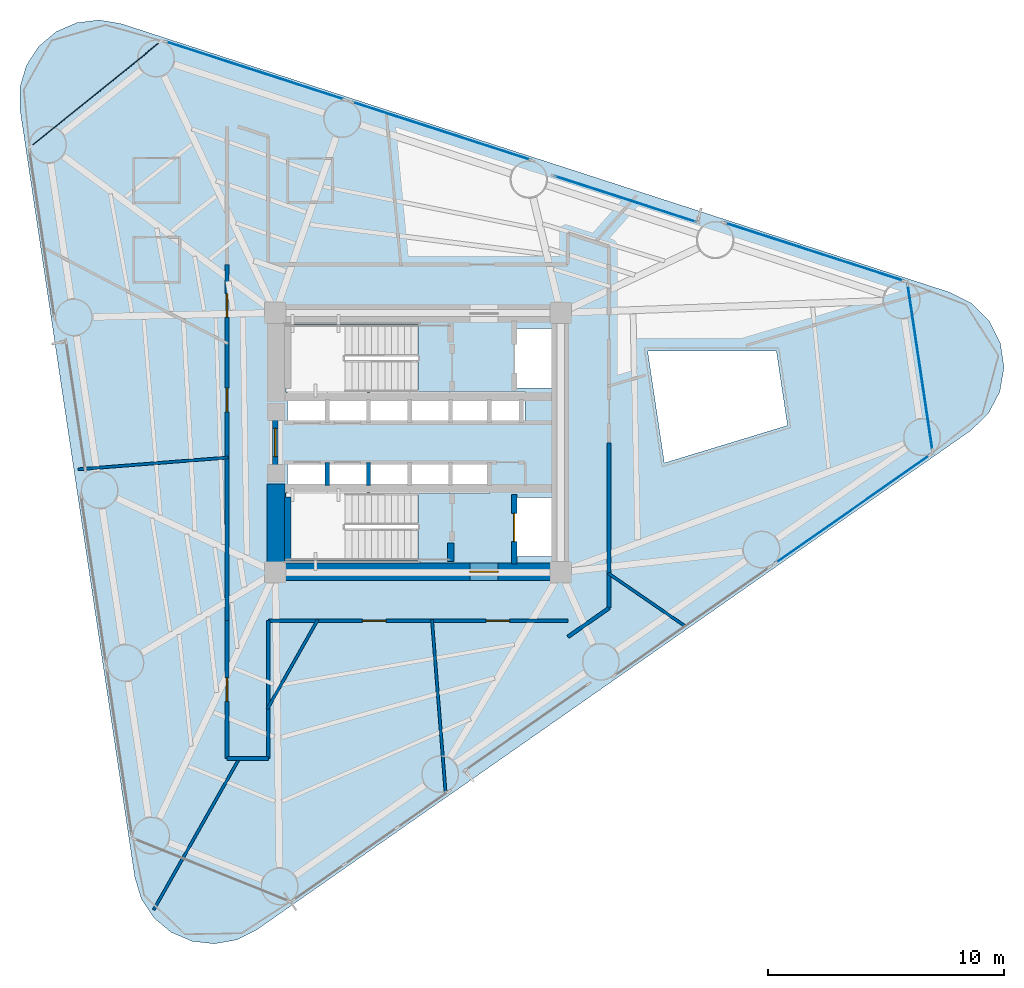
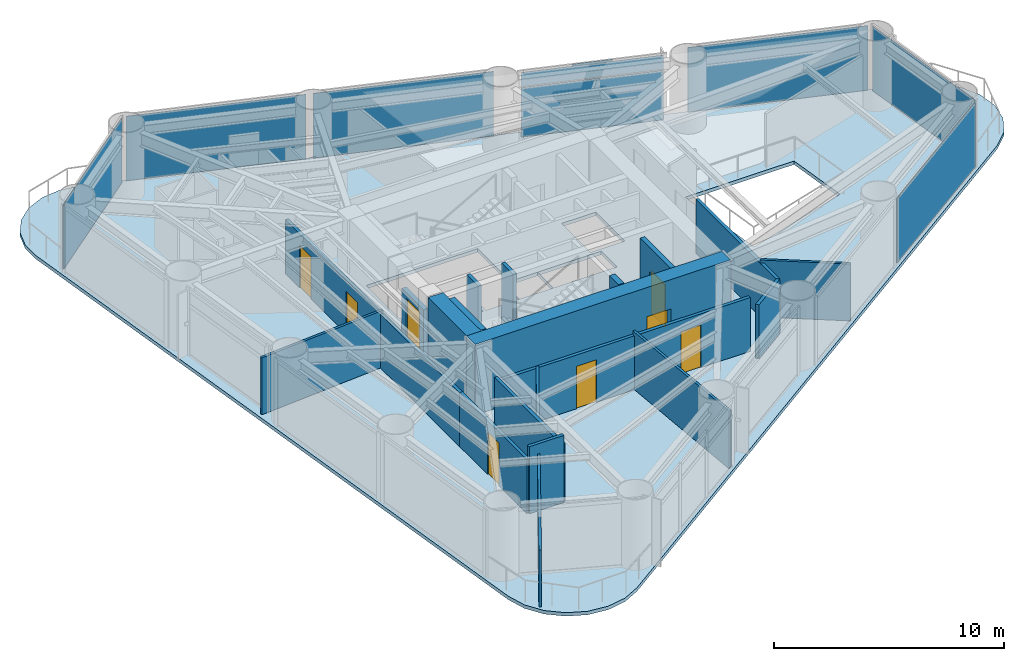
# One storey, part 5 of 9: 20 walls, 9 plates, 8 doors, 1 slab, 8 openings, 7 elements without a shape of their own.
"""IFC4 building model written with IfcOpenShell, lengths in metres."""

from ifc_helpers import new_model, si_unit, direction, frame, frame_2d, origin, origin_2d, place, context, subcontext, project, spatial, polyline, rectangle, outline, extrude, source, transform, mapped, material, layer, layer_set, type_object, element, fill, aggregate, save


model = new_model("IFC4")

# Units and contexts
model_context = context("Model", 3, precision=1e-05, world=origin(), true_north=direction((0.0, 1.0)))
body_context = subcontext(model_context, "Body", "Model", "MODEL_VIEW")
ifc_project = project(units=[si_unit("LENGTHUNIT", "METRE"), si_unit("AREAUNIT", "SQUARE_METRE"), si_unit("VOLUMEUNIT", "CUBIC_METRE"), si_unit("PLANEANGLEUNIT", "RADIAN"), si_unit("MASSUNIT", "GRAM", prefix="KILO")], contexts=[model_context])

# Site, building, storey
site_placement = place(None, origin())
site = spatial("IfcSite", under=ifc_project, at=site_placement, CompositionType="ELEMENT")
building_placement = place(site_placement, origin())
building = spatial("IfcBuilding", under=site, at=building_placement, Name="Yunling Apex Tower", CompositionType="ELEMENT")
storey_placement = place(building_placement, frame((0.0, 0.0, 66.050048828125)))
storey = spatial("IfcBuildingStorey", under=building, at=storey_placement, Name="L17", CompositionType="ELEMENT", Elevation=66.050048828125)

# Slab
ifc_material_1 = material(Name="Concrete C40", Category="concrete")
ifc_layer_1 = layer(ifc_material_1, 0.179931640625)
ifc_layer_set_1 = layer_set([ifc_layer_1], Name="Concrete C40")
slab_type = type_object("IfcSlabType", Name="SL-FLR-1", PredefinedType="FLOOR", material=ifc_layer_set_1)
slab_placement = place(storey_placement, frame((0.0, 0.0, -0.18505859375)))
element("IfcSlab", 1, at=slab_placement, inside=storey, type_object=slab_type, Name="L17 Composite Tower Floor Slab", PredefinedType="FLOOR", context=body_context, shape_type="SweptSolid", body=[
    extrude(outline(polyline([(-12.00732421875, -18.4326171875), (-11.730224609375, -19.349365234375), (-11.202392578125, -20.1484375), (-10.467529296875, -20.7626953125), (-9.587646484375, -21.14111328125), (-8.636474609375, -21.251708984375), (-7.693115234375, -21.08544921875), (-6.837158203125, -20.656005859375), (23.428955078125, 0.50537109375), (24.1796875, 1.231201171875), (24.6669921875, 2.155029296875), (24.842041015625, 3.184814453125), (24.687744140625, 4.217529296875), (24.21923828125, 5.15087890625), (23.483154296875, 5.89208984375), (22.552978515625, 6.36669921875), (-12.57763671875, 17.75439453125), (-13.521728515625, 17.914794921875), (-14.472412109375, 17.798095703125), (-15.349853515625, 17.414306640625), (-16.080810546875, 16.795166015625), (-16.603515625, 15.992919921875), (-16.875, 15.07421875), (-16.871826171875, 14.116455078125), (-12.00732421875, -18.4326171875)]), holes=[polyline([(15.192138671875, 3.88818359375), (15.6650390625, 0.723388671875), (10.442626953125, -0.865966796875), (9.733154296875, 3.88134765625), (15.192138671875, 3.88818359375)]), polyline([(5.81005859375, -2.320068359375), (5.81005859375, -4.840087890625), (4.090087890625, -4.840087890625), (4.090087890625, -2.320068359375), (5.81005859375, -2.320068359375)]), polyline([(5.81005859375, 4.840087890625), (5.81005859375, 2.320068359375), (4.090087890625, 2.320068359375), (4.090087890625, 4.840087890625), (5.81005859375, 4.840087890625)]), polyline([(4.534912109375, 0.794921875), (1.364990234375, 0.794921875), (1.364990234375, 2.1650390625), (4.534912109375, 2.1650390625), (4.534912109375, 0.794921875)]), polyline([(3.034912109375, -0.794921875), (3.034912109375, -2.1650390625), (1.364990234375, -2.1650390625), (1.364990234375, -0.794921875), (3.034912109375, -0.794921875)]), polyline([(-3.864990234375, -0.794921875), (-3.864990234375, -2.139892578125), (-3.8349609375, -2.139892578125), (-3.8349609375, -0.794921875), (-2.1650390625, -0.794921875), (-2.1650390625, -2.139892578125), (-2.034912109375, -2.139892578125), (-2.034912109375, -0.794921875), (-0.364990234375, -0.794921875), (-0.364990234375, -2.139892578125), (-0.3349609375, -2.139892578125), (-0.3349609375, -0.794921875), (1.3349609375, -0.794921875), (1.3349609375, -2.1650390625), (-0.010009765625, -2.1650390625), (-0.010009765625, -5.010009765625), (-5.60009765625, -5.010009765625), (-5.60009765625, -2.139892578125), (-5.534912109375, -2.139892578125), (-5.534912109375, -0.794921875), (-3.864990234375, -0.794921875)]), polyline([(-5.60009765625, 2.139892578125), (-5.60009765625, 5.010009765625), (-0.010009765625, 5.010009765625), (-0.010009765625, 2.1650390625), (1.3349609375, 2.1650390625), (1.3349609375, 0.794921875), (-0.3349609375, 0.794921875), (-0.3349609375, 2.139892578125), (-0.364990234375, 2.139892578125), (-0.364990234375, 0.794921875), (-2.034912109375, 0.794921875), (-2.034912109375, 2.139892578125), (-2.1650390625, 2.139892578125), (-2.1650390625, 0.794921875), (-3.8349609375, 0.794921875), (-3.8349609375, 2.139892578125), (-3.864990234375, 2.139892578125), (-3.864990234375, 0.794921875), (-5.534912109375, 0.794921875), (-5.534912109375, 2.139892578125), (-5.60009765625, 2.139892578125)])]), origin(), (0.0, 0.0, 1.0), 0.18505859375),
])

# Plate
ifc_material_2 = material(Name="Bronze anodised aluminium", Category="aluminium")
ifc_layer_2 = layer(ifc_material_2, 0.011962890625)
ifc_layer_set_2 = layer_set([ifc_layer_2], Name="Bronze anodised aluminium")
plate_type_1 = type_object("IfcPlateType", Name="SP-SHT-1", PredefinedType="SHEET", material=ifc_layer_set_2)
shared_shape_1 = source(origin(), body_context, "Body", "SweptSolid", [
    extrude(rectangle(XDim=1.800048828125, YDim=0.02392578125, at=origin_2d()), origin(), (0.0, 0.0, 1.0), 0.43994140625),
])
plate_1_placement = place(storey_placement, frame((8.7919921875, 10.32275390625, 3.1650390625), z_axis=(0.0, 0.0, 1.0), x_axis=(-0.951272019071, 0.30835295642, 0.0)))
element("IfcPlate", 2, at=plate_1_placement, inside=storey, type_object=plate_type_1, Name="SP-GRV-L17-F2", PredefinedType="SHEET", context=body_context, shape_type="MappedRepresentation", body=[
    mapped(shared_shape_1, transform((0.0, 0.0, 0.0), scale=1.0)),
])

# Curtain wall, plates
ifc_layer_3 = layer(ifc_material_2, 0.260009765625)
ifc_layer_set_3 = layer_set([ifc_layer_3], Name="Bronze anodised aluminium")
curtain_wall_type = type_object("IfcCurtainWallType", Name="CW-SYS-2", PredefinedType="NOTDEFINED", material=ifc_layer_set_3)
curtain_wall_1_placement = place(storey_placement, origin())
curtain_wall_1 = element("IfcCurtainWall", 3, at=curtain_wall_1_placement, inside=storey, type_object=curtain_wall_type, Name="CW-L17-F2-B2", PredefinedType="NOTDEFINED")
ifc_material_3 = material(Name="Bronze tinted low-E glass", Category="glass")
ifc_layer_4 = layer(ifc_material_3, 0.033935546875)
ifc_layer_set_4 = layer_set([ifc_layer_4], Name="Bronze tinted low-E glass")
plate_type_2 = type_object("IfcPlateType", Name="CW-PNL-2", PredefinedType="CURTAIN_PANEL", material=ifc_layer_set_4)
shared_shape_2 = source(origin(), body_context, "Body", "SweptSolid", [
    extrude(rectangle(XDim=6.315673828125, YDim=0.033935546875, at=origin_2d()), origin(), (0.0, 0.0, 1.0), 2.60400390625),
])
plate_2_placement = place(storey_placement, frame((8.7919921875, 10.32275390625, 0.07666015625), z_axis=(0.0, 0.0, 1.0), x_axis=(-0.951272336999, 0.308351975608, 0.0)))
plate_2 = element("IfcPlate", 4, at=plate_2_placement, type_object=plate_type_2, Name="CW-SYS-2 panel 1.1", PredefinedType="CURTAIN_PANEL", context=body_context, shape_type="MappedRepresentation", body=[
    mapped(shared_shape_2, transform((0.0, 0.0, 0.0), scale=1.0)),
])
shared_shape_3 = source(origin(), body_context, "Body", "SweptSolid", [
    extrude(rectangle(XDim=6.315673828125, YDim=0.033935546875, at=origin_2d()), origin(), (0.0, 0.0, 1.0), 0.739013671875),
])
plate_3_placement = place(storey_placement, frame((8.7919921875, 10.32275390625, 2.7490234375), z_axis=(0.0, 0.0, 1.0), x_axis=(-0.951272336999, 0.308351975608, 0.0)))
plate_3 = element("IfcPlate", 5, at=plate_3_placement, type_object=plate_type_2, Name="CW-SYS-2 panel 1.2", PredefinedType="CURTAIN_PANEL", context=body_context, shape_type="MappedRepresentation", body=[
    mapped(shared_shape_3, transform((0.0, 0.0, 0.0), scale=1.0)),
])
aggregate(curtain_wall_1, [plate_2, plate_3])

# Curtain wall, plate
curtain_wall_2_placement = place(storey_placement, origin())
curtain_wall_2 = element("IfcCurtainWall", 6, at=curtain_wall_2_placement, inside=storey, type_object=curtain_wall_type, Name="CW-L17-F1-B4", PredefinedType="NOTDEFINED")
shared_shape_4 = source(origin(), body_context, "Body", "SweptSolid", [
    extrude(rectangle(XDim=7.995849609375, YDim=0.033935546875, at=origin_2d()), origin(), (0.0, 0.0, 1.0), 3.41162109375),
])
plate_4_placement = place(storey_placement, frame((18.430419921875, -2.818603515625, 0.07666015625), z_axis=(0.0, 0.0, 1.0), x_axis=(0.819552319691, 0.573004358875, 0.0)))
plate_4 = element("IfcPlate", 7, at=plate_4_placement, type_object=plate_type_2, Name="CW-SYS-2 panel 1.1", PredefinedType="CURTAIN_PANEL", context=body_context, shape_type="MappedRepresentation", body=[
    mapped(shared_shape_4, transform((0.0, 0.0, 0.0), scale=1.0)),
])
aggregate(curtain_wall_2, [plate_4])

curtain_wall_3_placement = place(storey_placement, origin())
curtain_wall_3 = element("IfcCurtainWall", 8, at=curtain_wall_3_placement, inside=storey, type_object=curtain_wall_type, Name="CW-L17-F2-B1", PredefinedType="NOTDEFINED")
plate_5_placement = place(storey_placement, frame((16.801025390625, 8.083984375, 0.07666015625), z_axis=(0.0, 0.0, 1.0), x_axis=(-0.951270593784, 0.30835735341, 0.0)))
plate_5 = element("IfcPlate", 9, at=plate_5_placement, type_object=plate_type_2, Name="CW-SYS-2 panel 1.1", PredefinedType="CURTAIN_PANEL", context=body_context, shape_type="MappedRepresentation", body=[
    mapped(shared_shape_4, transform((0.0, 0.0, 0.0), scale=1.0)),
])
aggregate(curtain_wall_3, [plate_5])

curtain_wall_4_placement = place(storey_placement, origin())
curtain_wall_4 = element("IfcCurtainWall", 10, at=curtain_wall_4_placement, inside=storey, type_object=curtain_wall_type, Name="CW-L17-F2-B3", PredefinedType="NOTDEFINED")
plate_6_placement = place(storey_placement, frame((0.9921875, 13.20849609375, 0.07666015625), z_axis=(0.0, 0.0, 1.0), x_axis=(-0.951266994272, 0.308368457544, 0.0)))
plate_6 = element("IfcPlate", 11, at=plate_6_placement, type_object=plate_type_2, Name="CW-SYS-2 panel 1.1", PredefinedType="CURTAIN_PANEL", context=body_context, shape_type="MappedRepresentation", body=[
    mapped(shared_shape_4, transform((0.0, 0.0, 0.0), scale=1.0)),
])
aggregate(curtain_wall_4, [plate_6])

curtain_wall_5_placement = place(storey_placement, origin())
curtain_wall_5 = element("IfcCurtainWall", 12, at=curtain_wall_5_placement, inside=storey, type_object=curtain_wall_type, Name="CW-L17-F2-B4", PredefinedType="NOTDEFINED")
plate_7_placement = place(storey_placement, frame((-6.912109375, 15.770751953125, 0.07666015625), z_axis=(0.0, 0.0, 1.0), x_axis=(-0.951270593784, 0.30835735341, 0.0)))
plate_7 = element("IfcPlate", 13, at=plate_7_placement, type_object=plate_type_2, Name="CW-SYS-2 panel 1.1", PredefinedType="CURTAIN_PANEL", context=body_context, shape_type="MappedRepresentation", body=[
    mapped(shared_shape_4, transform((0.0, 0.0, 0.0), scale=1.0)),
])
aggregate(curtain_wall_5, [plate_7])

curtain_wall_6_placement = place(storey_placement, origin())
curtain_wall_6 = element("IfcCurtainWall", 14, at=curtain_wall_6_placement, inside=storey, type_object=curtain_wall_type, Name="CW-L17-CRN1", PredefinedType="NOTDEFINED")
shared_shape_5 = source(origin(), body_context, "Body", "SweptSolid", [
    extrude(rectangle(XDim=7.132080078125, YDim=0.033935546875, at=origin_2d()), origin(), (0.0, 0.0, 1.0), 3.41162109375),
])
plate_8_placement = place(storey_placement, frame((21.28564453125, 3.18115234375, 0.07666015625), z_axis=(0.0, 0.0, 1.0), x_axis=(-0.147798115278, 0.989017551472, 0.0)))
plate_8 = element("IfcPlate", 15, at=plate_8_placement, type_object=plate_type_2, Name="CW-SYS-2 panel 1.1", PredefinedType="CURTAIN_PANEL", context=body_context, shape_type="MappedRepresentation", body=[
    mapped(shared_shape_5, transform((0.0, 0.0, 0.0), scale=1.0)),
])
aggregate(curtain_wall_6, [plate_8])

curtain_wall_7_placement = place(storey_placement, origin())
curtain_wall_7 = element("IfcCurtainWall", 16, at=curtain_wall_7_placement, inside=storey, type_object=curtain_wall_type, Name="CW-L17-CRN2", PredefinedType="NOTDEFINED")
shared_shape_6 = source(origin(), body_context, "Body", "SweptSolid", [
    extrude(rectangle(XDim=7.043212890625, YDim=0.033935546875, at=origin_2d()), origin(), (0.0, 0.0, 1.0), 3.41162109375),
])
plate_9_placement = place(storey_placement, frame((-13.67041015625, 14.772705078125, 0.07666015625), z_axis=(0.0, 0.0, 1.0), x_axis=(-0.778148820322, -0.628079941911, 0.0)))
plate_9 = element("IfcPlate", 17, at=plate_9_placement, type_object=plate_type_2, Name="CW-SYS-2 panel 1.1", PredefinedType="CURTAIN_PANEL", context=body_context, shape_type="MappedRepresentation", body=[
    mapped(shared_shape_6, transform((0.0, 0.0, 0.0), scale=1.0)),
])
aggregate(curtain_wall_7, [plate_9])

# Wall, opening, door
ifc_material_4 = material(Name="Concrete C60", Category="concrete")
ifc_layer_5 = layer(ifc_material_4, 0.75)
ifc_layer_set_5 = layer_set([ifc_layer_5], Name="Concrete C60")
wall_type_1 = type_object("IfcWallType", Name="WL-COR-1", PredefinedType="SHEAR", material=ifc_layer_set_5)
wall_1_placement = place(storey_placement, frame((-6.39990234375, -5.47509765625, 0.0), z_axis=(0.0, 0.0, 1.0), x_axis=(1.0, 0.0, 0.0)))
wall_1 = element("IfcWall", 18, at=wall_1_placement, inside=storey, type_object=wall_type_1, Name="L17 South Core Shear Wall", PredefinedType="SHEAR", context=body_context, shape_type="SweptSolid", body=[
    extrude(rectangle(XDim=12.7998046875, YDim=0.75, at=frame_2d((6.39990234375, 0.0))), origin(), (0.0, 0.0, 1.0), 3.75),
])
opening_1_placement = place(wall_1_placement, frame((8.60009765625, 0.0, 0.0)))
opening_1 = element("IfcOpeningElement", 19, at=opening_1_placement, cuts=wall_1, Name="Opening DR-FFL-1", PredefinedType="OPENING", context=body_context, shape_type="SweptSolid", body=[
    extrude(rectangle(XDim=1.199951171875, YDim=2.199951171875, at=frame_2d((0.60009765625, 1.10009765625))), frame((0.0, 0.385009765625, 0.0), z_axis=(0.0, -1.0, 0.0), x_axis=(1.0, 0.0, 0.0)), (0.0, 0.0, 1.0), 0.77001953125),
])
ifc_material_5 = material(Name="Steel Q355B", Category="steel")
door_type_1 = type_object("IfcDoorType", Name="DR-FFL-1", OperationType="NOTDEFINED", PredefinedType="DOOR", material=ifc_material_5)
door_1_placement = place(opening_1_placement, origin())
door_1 = element("IfcDoor", 20, at=door_1_placement, inside=storey, type_object=door_type_1, Name="L17 South Firefighting Lobby Door", OperationType="SINGLE_SWING_RIGHT", OverallHeight=2.199951171875, OverallWidth=1.199951171875, PredefinedType="DOOR", context=body_context, shape_type="SweptSolid", body=[
    extrude(rectangle(XDim=1.199951171875, YDim=2.199951171875, at=frame_2d((0.60009765625, 1.10009765625))), frame((0.0, 0.02490234375, 0.0), z_axis=(0.0, -1.0, 0.0), x_axis=(1.0, 0.0, 0.0)), (0.0, 0.0, 1.0), 0.050048828125),
])
fill(opening_1, door_1)

# Walls
wall_2_placement = place(storey_placement, frame((-6.02490234375, -5.10009765625, 0.0), z_axis=(0.0, 0.0, 1.0), x_axis=(0.0, 1.0, 0.0)))
element("IfcWall", 21, at=wall_2_placement, inside=storey, type_object=wall_type_1, Name="L17 West-South Core Shear Wall", PredefinedType="SHEAR", context=body_context, shape_type="SweptSolid", body=[
    extrude(rectangle(XDim=3.35009765625, YDim=0.75, at=frame_2d((1.675048828125, 0.0))), origin(), (0.0, 0.0, 1.0), 3.75),
])
ifc_layer_6 = layer(ifc_material_1, 0.280029296875)
ifc_layer_set_6 = layer_set([ifc_layer_6], Name="Concrete C40")
wall_type_2 = type_object("IfcWallType", Name="WL-COR-8", PredefinedType="SHEAR", material=ifc_layer_set_6)
wall_3_placement = place(storey_placement, frame((-5.52001953125, -5.050048828125, 0.0), z_axis=(0.0, 0.0, 1.0), x_axis=(0.0, 1.0, 0.0)))
element("IfcWall", 22, at=wall_3_placement, inside=storey, type_object=wall_type_2, Name="L17 ST-2 West Landing Bearing Wall", PredefinedType="SHEAR", context=body_context, shape_type="SweptSolid", body=[
    extrude(rectangle(XDim=2.75, YDim=0.280029296875, at=frame_2d((1.375, 0.0))), origin(), (0.0, 0.0, 1.0), 3.75),
])
wall_4_placement = place(storey_placement, frame((1.3798828125, -5.050048828125, 0.0), z_axis=(0.0, 0.0, 1.0), x_axis=(0.0, 1.0, 0.0)))
element("IfcWall", 23, at=wall_4_placement, inside=storey, type_object=wall_type_2, Name="L17 ST-2 East Landing Bearing Pier", PredefinedType="SHEAR", context=body_context, shape_type="SweptSolid", body=[
    extrude(rectangle(XDim=0.800048828125, YDim=0.280029296875, at=frame_2d((0.39990234375, 0.0))), origin(), (0.0, 0.0, 1.0), 3.75),
])

# Wall, opening, door
ifc_material_6 = material(Name="Gypsum board acoustic partition")
ifc_layer_7 = layer(ifc_material_6, 0.159912109375)
ifc_layer_set_7 = layer_set([ifc_layer_7], Name="Gypsum board acoustic partition")
wall_type_3 = type_object("IfcWallType", Name="WL-PRT-1", PredefinedType="PARTITIONING", material=ifc_layer_set_7)
wall_5_placement = place(storey_placement, frame((-8.10009765625, -13.39990234375, 0.0), z_axis=(0.0, 0.0, 1.0), x_axis=(0.0, 1.0, 0.0)))
wall_5 = element("IfcWall", 24, at=wall_5_placement, inside=storey, type_object=wall_type_3, Name="WL-CORR-L17-01", PredefinedType="PARTITIONING", context=body_context, shape_type="SweptSolid", body=[
    extrude(rectangle(XDim=5.849853515625, YDim=0.159912109375, at=frame_2d((2.9248046875, 0.0))), origin(), (0.0, 0.0, 1.0), 2.849853515625),
])
opening_2_placement = place(wall_5_placement, frame((2.425048828125, 0.0, 0.0)))
opening_2 = element("IfcOpeningElement", 25, at=opening_2_placement, cuts=wall_5, Name="Opening DR-OFF-1", PredefinedType="OPENING", context=body_context, shape_type="SweptSolid", body=[
    extrude(rectangle(XDim=1.0, YDim=2.25, at=frame_2d((0.5, 1.125))), frame((0.0, 0.08984375, 0.0), z_axis=(0.0, -1.0, 0.0), x_axis=(1.0, 0.0, 0.0)), (0.0, 0.0, 1.0), 0.179931640625),
])
door_type_2 = type_object("IfcDoorType", Name="DR-OFF-1", OperationType="NOTDEFINED", PredefinedType="DOOR", material=ifc_material_2)
door_2_placement = place(opening_2_placement, origin())
door_2 = element("IfcDoor", 26, at=door_2_placement, inside=storey, type_object=door_type_2, Name="L17 Client Reception Foyer Door", OperationType="SINGLE_SWING_RIGHT", OverallHeight=2.25, OverallWidth=1.0, PredefinedType="DOOR", context=body_context, shape_type="SweptSolid", body=[
    extrude(rectangle(XDim=1.0, YDim=2.25, at=frame_2d((0.5, 1.125))), frame((0.0, 0.02490234375, 0.0), z_axis=(0.0, -1.0, 0.0), x_axis=(1.0, 0.0, 0.0)), (0.0, 0.0, 1.0), 0.050048828125),
])
fill(opening_2, door_2)

# Wall, openings, doors
wall_6_placement = place(storey_placement, frame((-8.10009765625, -7.550048828125, 0.0), z_axis=(0.0, 0.0, 1.0), x_axis=(0.0, 1.0, 0.0)))
wall_6 = element("IfcWall", 27, at=wall_6_placement, inside=storey, type_object=wall_type_3, Name="WL-CORR-L17-02", PredefinedType="PARTITIONING", context=body_context, shape_type="SweptSolid", body=[
    extrude(rectangle(XDim=15.10009765625, YDim=0.159912109375, at=frame_2d((7.550048828125, 0.0))), origin(), (0.0, 0.0, 1.0), 2.849853515625),
])
opening_3_placement = place(wall_6_placement, frame((8.855224609375, 0.0, 0.0)))
opening_3 = element("IfcOpeningElement", 28, at=opening_3_placement, cuts=wall_6, Name="Opening DR-OFF-1", PredefinedType="OPENING", context=body_context, shape_type="SweptSolid", body=[
    extrude(rectangle(XDim=1.0, YDim=2.25, at=frame_2d((0.5, 1.125))), frame((0.0, 0.08984375, 0.0), z_axis=(0.0, -1.0, 0.0), x_axis=(1.0, 0.0, 0.0)), (0.0, 0.0, 1.0), 0.179931640625),
])
opening_4_placement = place(wall_6_placement, frame((12.864990234375, 0.0, 0.0)))
opening_4 = element("IfcOpeningElement", 29, at=opening_4_placement, cuts=wall_6, Name="Opening DR-OFF-1", PredefinedType="OPENING", context=body_context, shape_type="SweptSolid", body=[
    extrude(rectangle(XDim=1.0, YDim=2.25, at=frame_2d((0.5, 1.125))), frame((0.0, 0.08984375, 0.0), z_axis=(0.0, -1.0, 0.0), x_axis=(1.0, 0.0, 0.0)), (0.0, 0.0, 1.0), 0.179931640625),
])
door_3_placement = place(opening_3_placement, origin())
door_3 = element("IfcDoor", 30, at=door_3_placement, inside=storey, type_object=door_type_2, Name="L17 Client Reception Foyer Door", OperationType="SINGLE_SWING_LEFT", OverallHeight=2.25, OverallWidth=1.0, PredefinedType="DOOR", context=body_context, shape_type="SweptSolid", body=[
    extrude(rectangle(XDim=1.0, YDim=2.25, at=frame_2d((0.5, 1.125))), frame((0.0, 0.02490234375, 0.0), z_axis=(0.0, -1.0, 0.0), x_axis=(1.0, 0.0, 0.0)), (0.0, 0.0, 1.0), 0.050048828125),
])
fill(opening_3, door_3)
door_4_placement = place(opening_4_placement, origin())
door_4 = element("IfcDoor", 31, at=door_4_placement, inside=storey, type_object=door_type_2, Name="L17 Service Foyer Lounge Door", OperationType="SINGLE_SWING_RIGHT", OverallHeight=2.25, OverallWidth=1.0, PredefinedType="DOOR", context=body_context, shape_type="SweptSolid", body=[
    extrude(rectangle(XDim=1.0, YDim=2.25, at=frame_2d((0.5, 1.125))), frame((0.0, 0.02490234375, 0.0), z_axis=(0.0, -1.0, 0.0), x_axis=(1.0, 0.0, 0.0)), (0.0, 0.0, 1.0), 0.050048828125),
])
fill(opening_4, door_4)

# Walls
wall_7_placement = place(storey_placement, frame((8.10009765625, -0.02001953125, 0.0), z_axis=(0.0, 0.0, 1.0), x_axis=(0.0, -1.0, 0.0)))
element("IfcWall", 32, at=wall_7_placement, inside=storey, type_object=wall_type_3, Name="WL-CORR-L17-12", PredefinedType="PARTITIONING", context=body_context, shape_type="SweptSolid", body=[
    extrude(rectangle(XDim=6.995361328125, YDim=0.159912109375, at=frame_2d((3.49755859375, 0.0))), origin(), (0.0, 0.0, 1.0), 2.849853515625),
])
wall_8_placement = place(storey_placement, frame((8.10009765625, -7.015380859375, 0.0), z_axis=(0.0, 0.0, 1.0), x_axis=(-0.81953260104, -0.573032560883, 0.0)))
element("IfcWall", 33, at=wall_8_placement, inside=storey, type_object=wall_type_3, Name="WL-CORR-L17-13", PredefinedType="PARTITIONING", context=body_context, shape_type="SweptSolid", body=[
    extrude(rectangle(XDim=2.13525390625, YDim=0.159912109375, at=frame_2d((1.067626953125, 0.0))), origin(), (0.0, 0.0, 1.0), 2.849853515625),
])

# Wall, openings, doors
wall_9_placement = place(storey_placement, frame((6.35009765625, -7.550048828125, 0.0), z_axis=(0.0, 0.0, 1.0), x_axis=(-1.0, 0.0, 0.0)))
wall_9 = element("IfcWall", 34, at=wall_9_placement, inside=storey, type_object=wall_type_3, Name="WL-CORR-L17-15", PredefinedType="PARTITIONING", context=body_context, shape_type="SweptSolid", body=[
    extrude(rectangle(XDim=12.7001953125, YDim=0.159912109375, at=frame_2d((6.35009765625, 0.0))), origin(), (0.0, 0.0, 1.0), 2.849853515625),
])
opening_5_placement = place(wall_9_placement, frame((2.46875, 0.0, 0.0)))
opening_5 = element("IfcOpeningElement", 35, at=opening_5_placement, cuts=wall_9, Name="Opening DR-OFF-1", PredefinedType="OPENING", context=body_context, shape_type="SweptSolid", body=[
    extrude(rectangle(XDim=1.0, YDim=2.25, at=frame_2d((0.5, 1.125))), frame((0.0, 0.08984375, 0.0), z_axis=(0.0, -1.0, 0.0), x_axis=(1.0, 0.0, 0.0)), (0.0, 0.0, 1.0), 0.179931640625),
])
opening_6_placement = place(wall_9_placement, frame((7.70654296875, 0.0, 0.0)))
opening_6 = element("IfcOpeningElement", 36, at=opening_6_placement, cuts=wall_9, Name="Opening DR-OFF-1", PredefinedType="OPENING", context=body_context, shape_type="SweptSolid", body=[
    extrude(rectangle(XDim=1.0, YDim=2.25, at=frame_2d((0.5, 1.125))), frame((0.0, 0.08984375, 0.0), z_axis=(0.0, -1.0, 0.0), x_axis=(1.0, 0.0, 0.0)), (0.0, 0.0, 1.0), 0.179931640625),
])
door_5_placement = place(opening_5_placement, origin())
door_5 = element("IfcDoor", 37, at=door_5_placement, inside=storey, type_object=door_type_2, Name="L17 Client Reception Foyer Door", OperationType="SINGLE_SWING_RIGHT", OverallHeight=2.25, OverallWidth=1.0, PredefinedType="DOOR", context=body_context, shape_type="SweptSolid", body=[
    extrude(rectangle(XDim=1.0, YDim=2.25, at=frame_2d((0.5, 1.125))), frame((0.0, 0.02490234375, 0.0), z_axis=(0.0, -1.0, 0.0), x_axis=(1.0, 0.0, 0.0)), (0.0, 0.0, 1.0), 0.050048828125),
])
fill(opening_5, door_5)
door_6_placement = place(opening_6_placement, origin())
door_6 = element("IfcDoor", 38, at=door_6_placement, inside=storey, type_object=door_type_2, Name="L17 Client Reception Foyer Door", OperationType="SINGLE_SWING_LEFT", OverallHeight=2.25, OverallWidth=1.0, PredefinedType="DOOR", context=body_context, shape_type="SweptSolid", body=[
    extrude(rectangle(XDim=1.0, YDim=2.25, at=frame_2d((0.5, 1.125))), frame((0.0, 0.02490234375, 0.0), z_axis=(0.0, -1.0, 0.0), x_axis=(1.0, 0.0, 0.0)), (0.0, 0.0, 1.0), 0.050048828125),
])
fill(opening_6, door_6)

# Walls
wall_10_placement = place(storey_placement, frame((-6.35009765625, -7.550048828125, 0.0), z_axis=(0.0, 0.0, 1.0), x_axis=(0.0, -1.0, 0.0)))
element("IfcWall", 39, at=wall_10_placement, inside=storey, type_object=wall_type_3, Name="WL-CORR-L17-16", PredefinedType="PARTITIONING", context=body_context, shape_type="SweptSolid", body=[
    extrude(rectangle(XDim=5.849853515625, YDim=0.159912109375, at=frame_2d((2.9248046875, 0.0))), origin(), (0.0, 0.0, 1.0), 3.050048828125),
])
wall_11_placement = place(storey_placement, frame((-6.35009765625, -13.39990234375, 0.0), z_axis=(0.0, 0.0, 1.0), x_axis=(-1.0, 0.0, 0.0)))
element("IfcWall", 40, at=wall_11_placement, inside=storey, type_object=wall_type_3, Name="WL-CORR-L17-17", PredefinedType="PARTITIONING", context=body_context, shape_type="SweptSolid", body=[
    extrude(rectangle(XDim=1.75, YDim=0.159912109375, at=frame_2d((0.875, 0.0))), origin(), (0.0, 0.0, 1.0), 3.544921875),
])
ifc_layer_8 = layer(ifc_material_6, 0.1201171875)
ifc_layer_set_8 = layer_set([ifc_layer_8], Name="Gypsum board acoustic partition")
wall_type_4 = type_object("IfcWallType", Name="WL-PRT-3", PredefinedType="PARTITIONING", material=ifc_layer_set_8)
wall_12_placement = place(storey_placement, frame((-8.06005859375, -0.63427734375, 0.0), z_axis=(0.0, 0.0, 1.0), x_axis=(-0.996917899667, -0.078451904529, 0.0)))
element("IfcWall", 41, at=wall_12_placement, inside=storey, type_object=wall_type_4, Name="WL-RAD-L17-03", PredefinedType="PARTITIONING", context=body_context, shape_type="SweptSolid", body=[
    extrude(rectangle(XDim=6.3701171875, YDim=0.1201171875, at=frame_2d((3.18505859375, 0.0))), origin(), (0.0, 0.0, 1.0), 3.010009765625),
])
wall_13_placement = place(storey_placement, frame((-4.2490234375, -7.510009765625, 0.0), z_axis=(0.0, 0.0, 1.0), x_axis=(-0.492403224766, -0.870367200807, 0.0)))
element("IfcWall", 42, at=wall_13_placement, inside=storey, type_object=wall_type_4, Name="WL-RAD-L17-04", PredefinedType="PARTITIONING", context=body_context, shape_type="SweptSolid", body=[
    extrude(rectangle(XDim=4.347900390625, YDim=0.1201171875, at=frame_2d((2.173828125, 0.0))), origin(), (0.0, 0.0, 1.0), 2.849853515625),
])
wall_14_placement = place(storey_placement, frame((-7.55859375, -13.360107421875, 0.0), z_axis=(0.0, 0.0, 1.0), x_axis=(-0.492445728691, -0.870343153184, 0.0)))
element("IfcWall", 43, at=wall_14_placement, inside=storey, type_object=wall_type_4, Name="WL-RAD-L17-05", PredefinedType="PARTITIONING", context=body_context, shape_type="SweptSolid", body=[
    extrude(rectangle(XDim=7.412841796875, YDim=0.1201171875, at=frame_2d((3.70654296875, 0.0))), origin(), (0.0, 0.0, 1.0), 3.010009765625),
])
wall_15_placement = place(storey_placement, frame((0.591064453125, -7.510009765625, 0.0), z_axis=(0.0, 0.0, 1.0), x_axis=(0.078466268921, -0.996916769165, 0.0)))
element("IfcWall", 44, at=wall_15_placement, inside=storey, type_object=wall_type_4, Name="WL-RAD-L17-06", PredefinedType="PARTITIONING", context=body_context, shape_type="SweptSolid", body=[
    extrude(rectangle(XDim=7.352294921875, YDim=0.1201171875, at=frame_2d((3.67626953125, 0.0))), origin(), (0.0, 0.0, 1.0), 3.050048828125),
])
wall_16_placement = place(storey_placement, frame((8.06005859375, -5.53955078125, 0.0), z_axis=(0.0, 0.0, 1.0), x_axis=(0.824103676806, -0.566438990426, 0.0)))
element("IfcWall", 45, at=wall_16_placement, inside=storey, type_object=wall_type_4, Name="WL-RAD-L17-07", PredefinedType="PARTITIONING", context=body_context, shape_type="SweptSolid", body=[
    extrude(rectangle(XDim=3.921875, YDim=0.1201171875, at=frame_2d((1.9609375, 0.0))), origin(), (0.0, 0.0, 1.0), 3.010009765625),
])

# Wall, opening, door
ifc_material_7 = material(Name="Autoclaved aerated concrete masonry", Category="masonry")
ifc_layer_9 = layer(ifc_material_7, 0.219970703125)
ifc_layer_set_9 = layer_set([ifc_layer_9], Name="Autoclaved aerated concrete masonry")
wall_type_5 = type_object("IfcWallType", Name="WL-SHF-1", PredefinedType="PLUMBINGWALL", material=ifc_layer_set_9)
wall_17_placement = place(storey_placement, frame((-6.050048828125, -0.949951171875, 0.0), z_axis=(0.0, 0.0, 1.0), x_axis=(0.0, 1.0, 0.0)))
wall_17 = element("IfcWall", 46, at=wall_17_placement, inside=storey, type_object=wall_type_5, Name="WL-COR-WPORT-L17", PredefinedType="PLUMBINGWALL", context=body_context, shape_type="SweptSolid", body=[
    extrude(rectangle(XDim=1.89990234375, YDim=0.219970703125, at=frame_2d((0.949951171875, 0.0))), origin(), (0.0, 0.0, 1.0), 2.52490234375),
])
opening_7_placement = place(wall_17_placement, frame((0.35009765625, 0.0, 0.0)))
opening_7 = element("IfcOpeningElement", 47, at=opening_7_placement, cuts=wall_17, Name="Opening DR-FFL-1", PredefinedType="OPENING", context=body_context, shape_type="SweptSolid", body=[
    extrude(rectangle(XDim=1.199951171875, YDim=2.199951171875, at=frame_2d((0.60009765625, 1.10009765625))), frame((0.0, 0.1201171875, 0.0), z_axis=(0.0, -1.0, 0.0), x_axis=(1.0, 0.0, 0.0)), (0.0, 0.0, 1.0), 0.239990234375),
])
door_7_placement = place(opening_7_placement, origin())
door_7 = element("IfcDoor", 48, at=door_7_placement, inside=storey, type_object=door_type_1, Name="L17 Passenger Lift Lobby Entrance Door", OperationType="SINGLE_SWING_RIGHT", OverallHeight=2.199951171875, OverallWidth=1.199951171875, PredefinedType="DOOR", context=body_context, shape_type="SweptSolid", body=[
    extrude(rectangle(XDim=1.199951171875, YDim=2.199951171875, at=frame_2d((0.60009765625, 1.10009765625))), frame((0.0, 0.02490234375, 0.0), z_axis=(0.0, -1.0, 0.0), x_axis=(1.0, 0.0, 0.0)), (0.0, 0.0, 1.0), 0.050048828125),
])
fill(opening_7, door_7)

wall_18_placement = place(storey_placement, frame((4.080078125, -5.14990234375, 0.0), z_axis=(0.0, 0.0, 1.0), x_axis=(0.0, 1.0, 0.0)))
wall_18 = element("IfcWall", 49, at=wall_18_placement, inside=storey, type_object=wall_type_5, Name="WL-FFL2-W-L17", PredefinedType="PLUMBINGWALL", context=body_context, shape_type="SweptSolid", body=[
    extrude(rectangle(XDim=2.949951171875, YDim=0.219970703125, at=frame_2d((1.47509765625, 0.0))), origin(), (0.0, 0.0, 1.0), 3.544921875),
])
opening_8_placement = place(wall_18_placement, frame((0.949951171875, 0.0, 0.0)))
opening_8 = element("IfcOpeningElement", 50, at=opening_8_placement, cuts=wall_18, Name="Opening LD-FFL-1", PredefinedType="OPENING", context=body_context, shape_type="SweptSolid", body=[
    extrude(rectangle(XDim=1.199951171875, YDim=2.25, at=frame_2d((0.60009765625, 1.125))), frame((0.0, 0.1201171875, 0.0), z_axis=(0.0, -1.0, 0.0), x_axis=(1.0, 0.0, 0.0)), (0.0, 0.0, 1.0), 0.239990234375),
])
door_type_3 = type_object("IfcDoorType", Name="LD-FFL-1", OperationType="DOUBLE_DOOR_SLIDING", PredefinedType="DOOR", material=ifc_material_5)
door_8_placement = place(opening_8_placement, origin())
door_8 = element("IfcDoor", 51, at=door_8_placement, inside=storey, type_object=door_type_3, Name="L17 Lift FFL-2 Landing Door", OperationType="DOUBLE_DOOR_SLIDING", OverallHeight=2.25, OverallWidth=1.199951171875, PredefinedType="DOOR", context=body_context, shape_type="SweptSolid", body=[
    extrude(rectangle(XDim=1.199951171875, YDim=2.25, at=frame_2d((0.60009765625, 1.125))), frame((0.0, 0.02490234375, 0.0), z_axis=(0.0, -1.0, 0.0), x_axis=(1.0, 0.0, 0.0)), (0.0, 0.0, 1.0), 0.050048828125),
])
fill(opening_8, door_8)

# Walls
ifc_layer_10 = layer(ifc_material_7, 0.179931640625)
ifc_layer_set_10 = layer_set([ifc_layer_10], Name="Autoclaved aerated concrete masonry")
wall_type_6 = type_object("IfcWallType", Name="WL-SHF-2", PredefinedType="PLUMBINGWALL", material=ifc_layer_set_10)
for number, where, z_axis, x_axis, name in (
    (52, (-3.85009765625, -1.820068359375, 0.0), (0.0, 0.0, 1.0), (0.0, 1.0, 0.0), "WL-DIV-L34-L17"),
    (53, (-2.10009765625, -1.820068359375, 0.0), (0.0, 0.0, 1.0), (0.0, 1.0, 0.0), "WL-BNK-LM-S-L17"),
):
    element("IfcWall", number, at=place(storey_placement, frame(where, z_axis=z_axis, x_axis=x_axis)), inside=storey, type_object=wall_type_6, Name=name, PredefinedType="PLUMBINGWALL", context=body_context, shape_type="SweptSolid", body=[
        extrude(rectangle(XDim=0.97998046875, YDim=0.179931640625, at=frame_2d((0.489990234375, 0.0))), origin(), (0.0, 0.0, 1.0), 3.544921875),
    ])

save(model, "model.ifc")
